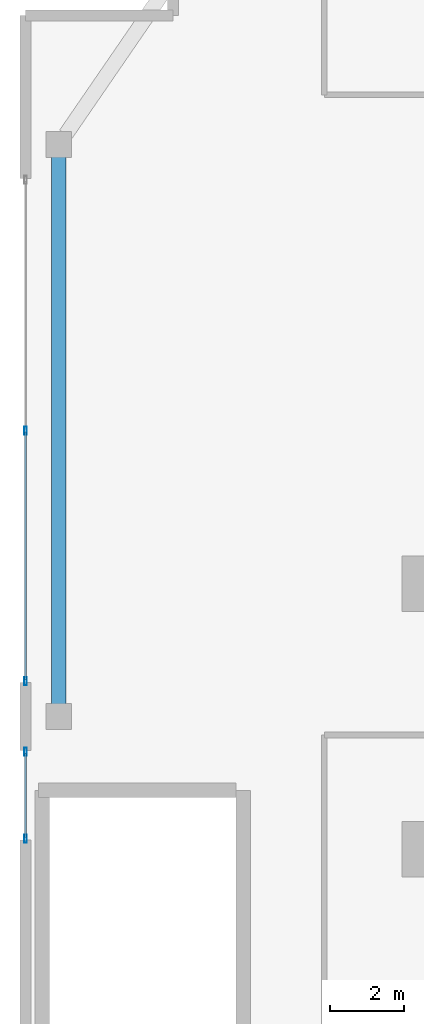
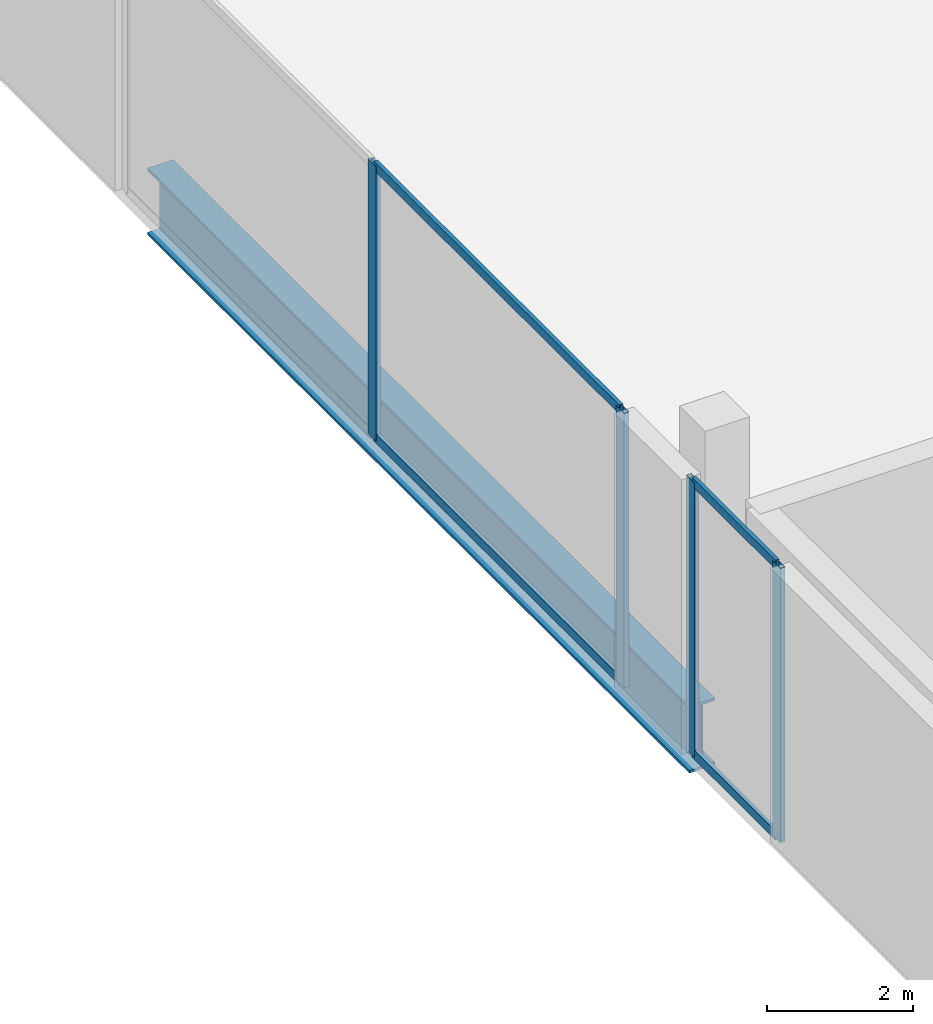
# One storey, part 6 of 28: 8 members, 1 beam, 2 elements without a shape of their own.
"""IFC4 building model written with IfcOpenShell, lengths in metres."""

from ifc_helpers import new_model, si_unit, direction, frame, origin, origin_2d, place, context, subcontext, project, spatial, hollow_rectangle, i_section, extrude, material, layer, layer_set, material_profile, profile_set, type_object, element, aggregate, save


model = new_model("IFC4")

# Units and contexts
model_context = context("Model", 3, precision=1e-05, world=origin(), true_north=direction((0.0, 1.0)))
body_context = subcontext(model_context, "Body", "Model", "MODEL_VIEW")
ifc_project = project(units=[si_unit("LENGTHUNIT", "METRE"), si_unit("AREAUNIT", "SQUARE_METRE"), si_unit("VOLUMEUNIT", "CUBIC_METRE"), si_unit("PLANEANGLEUNIT", "RADIAN"), si_unit("MASSUNIT", "GRAM", prefix="KILO")], contexts=[model_context])

# Site, building, storey
site_placement = place(None, origin())
site = spatial("IfcSite", under=ifc_project, at=site_placement, CompositionType="ELEMENT")
building_placement = place(site_placement, origin())
building = spatial("IfcBuilding", under=site, at=building_placement, Name="Zuhayl Quay Hotel", CompositionType="ELEMENT")
storey_placement = place(building_placement, frame((0.0, 0.0, 22.800048828125)))
storey = spatial("IfcBuildingStorey", under=building, at=storey_placement, Name="L04", CompositionType="ELEMENT", Elevation=22.800048828125)

# Beam
ifc_material_1 = material(Name="Steel ASTM A913 Grade 65", Category="steel")
ifc_material_profile_1 = material_profile(ifc_material_1, i_section(OverallWidth=0.404052734375, OverallDepth=1.117919921875, WebThickness=0.026123046875, FlangeThickness=0.044921875, at=origin_2d()), Name="W44X335")
ifc_profile_set_1 = profile_set([ifc_material_profile_1], Name="Steel ASTM A913 Grade 65")
beam_type = type_object("IfcBeamType", Name="BM_TG1_W44X335", PredefinedType="BEAM", material=ifc_profile_set_1)
beam_placement = place(storey_placement, frame((-35.10009765625, 0.340087890625, -0.819091796875), z_axis=(0.0, 1.0, 0.0), x_axis=(-1.0, 0.0, 0.0)))
element("IfcBeam", 1, at=beam_placement, inside=storey, type_object=beam_type, Name="L04 Floor Beam PG_W_L04_2", PredefinedType="BEAM", context=body_context, shape_type="SweptSolid", body=[
    extrude(i_section(OverallWidth=0.404052734375, OverallDepth=1.117919921875, WebThickness=0.026123046875, FlangeThickness=0.044921875, at=origin_2d()), origin(), (0.0, 0.0, 1.0), 14.81982421875),
])

# Curtain wall, members
ifc_material_2 = material(Name="Anodised Aluminium 6063-T6", Category="aluminium")
ifc_layer = layer(ifc_material_2, 0.199951171875, Name="Anodised Aluminium 6063-T6", Category="aluminium")
ifc_layer_set = layer_set([ifc_layer], Name="Anodised Aluminium 6063-T6")
curtain_wall_type = type_object("IfcCurtainWallType", Name="CW_SYS_POD", PredefinedType="USERDEFINED", material=ifc_layer_set)
curtain_wall_1_placement = place(storey_placement, origin())
curtain_wall_1 = element("IfcCurtainWall", 2, at=curtain_wall_1_placement, inside=storey, type_object=curtain_wall_type, Name="L04 Curtain Wall ENV_L04_E02_CW2", ObjectType="UNITISED CURTAIN WALL", PredefinedType="USERDEFINED")
ifc_material_3 = material(Name="Black-anodised aluminium 6063-T6", Category="aluminium")
ifc_material_profile_2 = material_profile(ifc_material_3, hollow_rectangle(XDim=0.074951171875, YDim=0.219970703125, WallThickness=0.00390625, at=origin_2d()), Name="ALU220X75")
ifc_profile_set_2 = profile_set([ifc_material_profile_2], Name="Black-anodised aluminium 6063-T6")
member_type_1 = type_object("IfcMemberType", Name="MB_CW_MUL_220", PredefinedType="MULLION", material=ifc_profile_set_2)
member_1_placement = place(storey_placement, frame((-36.0, -3.3125, 0.0), z_axis=(0.0, 0.0, 1.0), x_axis=(-1.0, 0.0, 0.0)))
member_1 = element("IfcMember", 3, at=member_1_placement, type_object=member_type_1, Name="CW-POD mullion 1", PredefinedType="MULLION", context=body_context, shape_type="SweptSolid", body=[
    extrude(hollow_rectangle(XDim=0.074951171875, YDim=0.219970703125, WallThickness=0.00390625, at=origin_2d()), origin(), (0.0, 0.0, 1.0), 4.579833984375),
])
member_2_placement = place(storey_placement, frame((-36.0, -0.95751953125, 0.0), z_axis=(0.0, 0.0, 1.0), x_axis=(-1.0, 0.0, 0.0)))
member_2 = element("IfcMember", 4, at=member_2_placement, type_object=member_type_1, Name="CW-POD mullion 2", PredefinedType="MULLION", context=body_context, shape_type="SweptSolid", body=[
    extrude(hollow_rectangle(XDim=0.074951171875, YDim=0.219970703125, WallThickness=0.00390625, at=origin_2d()), origin(), (0.0, 0.0, 1.0), 4.579833984375),
])

curtain_wall_2_placement = place(storey_placement, origin())
curtain_wall_2 = element("IfcCurtainWall", 5, at=curtain_wall_2_placement, inside=storey, type_object=curtain_wall_type, Name="L04 Curtain Wall ENV_L04_E02_CW3", ObjectType="UNITISED CURTAIN WALL", PredefinedType="USERDEFINED")
member_3_placement = place(storey_placement, frame((-36.0, 0.95751953125, 0.0), z_axis=(0.0, 0.0, 1.0), x_axis=(-1.0, 0.0, 0.0)))
member_3 = element("IfcMember", 6, at=member_3_placement, type_object=member_type_1, Name="CW-POD mullion 1", PredefinedType="MULLION", context=body_context, shape_type="SweptSolid", body=[
    extrude(hollow_rectangle(XDim=0.074951171875, YDim=0.219970703125, WallThickness=0.00390625, at=origin_2d()), origin(), (0.0, 0.0, 1.0), 4.579833984375),
])
member_4_placement = place(storey_placement, frame((-36.0, 7.75, 0.0), z_axis=(0.0, 0.0, 1.0), x_axis=(-1.0, 0.0, 0.0)))
member_4 = element("IfcMember", 7, at=member_4_placement, type_object=member_type_1, Name="CW-POD mullion 2", PredefinedType="MULLION", context=body_context, shape_type="SweptSolid", body=[
    extrude(hollow_rectangle(XDim=0.074951171875, YDim=0.219970703125, WallThickness=0.00390625, at=origin_2d()), origin(), (0.0, 0.0, 1.0), 4.579833984375),
])

# Member
ifc_material_profile_3 = material_profile(ifc_material_3, hollow_rectangle(XDim=0.06005859375, YDim=0.14990234375, WallThickness=0.00341796875, at=origin_2d()), Name="ALU150X60")
ifc_profile_set_3 = profile_set([ifc_material_profile_3], Name="Black-anodised aluminium 6063-T6")
member_type_2 = type_object("IfcMemberType", Name="MB_CW_TRN_150", PredefinedType="USERDEFINED", material=ifc_profile_set_3)
member_5_placement = place(storey_placement, frame((-36.0, -3.27490234375, 0.030029296875), z_axis=(0.0, 1.0, 0.0), x_axis=(-1.0, 0.0, 0.0)))
member_5 = element("IfcMember", 8, at=member_5_placement, type_object=member_type_2, Name="CW-POD transom 1.1", ObjectType="TRANSOM", PredefinedType="USERDEFINED", context=body_context, shape_type="SweptSolid", body=[
    extrude(hollow_rectangle(XDim=0.06005859375, YDim=0.14990234375, WallThickness=0.00341796875, at=origin_2d()), origin(), (0.0, 0.0, 1.0), 2.27978515625),
])

member_6_placement = place(storey_placement, frame((-36.0, -3.27490234375, 4.550048828125), z_axis=(0.0, 1.0, 0.0), x_axis=(-1.0, 0.0, 0.0)))
member_6 = element("IfcMember", 9, at=member_6_placement, type_object=member_type_2, Name="CW-POD transom 1.2", ObjectType="TRANSOM", PredefinedType="USERDEFINED", context=body_context, shape_type="SweptSolid", body=[
    extrude(hollow_rectangle(XDim=0.06005859375, YDim=0.14990234375, WallThickness=0.00341796875, at=origin_2d()), origin(), (0.0, 0.0, 1.0), 2.27978515625),
])

aggregate(curtain_wall_1, [member_1, member_2, member_5, member_6])

member_7_placement = place(storey_placement, frame((-36.0, 0.9951171875, 0.030029296875), z_axis=(0.0, 1.0, 0.0), x_axis=(-1.0, 0.0, 0.0)))
member_7 = element("IfcMember", 10, at=member_7_placement, type_object=member_type_2, Name="CW-POD transom 1.1", ObjectType="TRANSOM", PredefinedType="USERDEFINED", context=body_context, shape_type="SweptSolid", body=[
    extrude(hollow_rectangle(XDim=0.06005859375, YDim=0.14990234375, WallThickness=0.00341796875, at=origin_2d()), origin(), (0.0, 0.0, 1.0), 6.71728515625),
])

member_8_placement = place(storey_placement, frame((-36.0, 0.9951171875, 4.550048828125), z_axis=(0.0, 1.0, 0.0), x_axis=(-1.0, 0.0, 0.0)))
member_8 = element("IfcMember", 11, at=member_8_placement, type_object=member_type_2, Name="CW-POD transom 1.2", ObjectType="TRANSOM", PredefinedType="USERDEFINED", context=body_context, shape_type="SweptSolid", body=[
    extrude(hollow_rectangle(XDim=0.06005859375, YDim=0.14990234375, WallThickness=0.00341796875, at=origin_2d()), origin(), (0.0, 0.0, 1.0), 6.71728515625),
])

aggregate(curtain_wall_2, [member_3, member_4, member_7, member_8])

save(model, "model.ifc")
